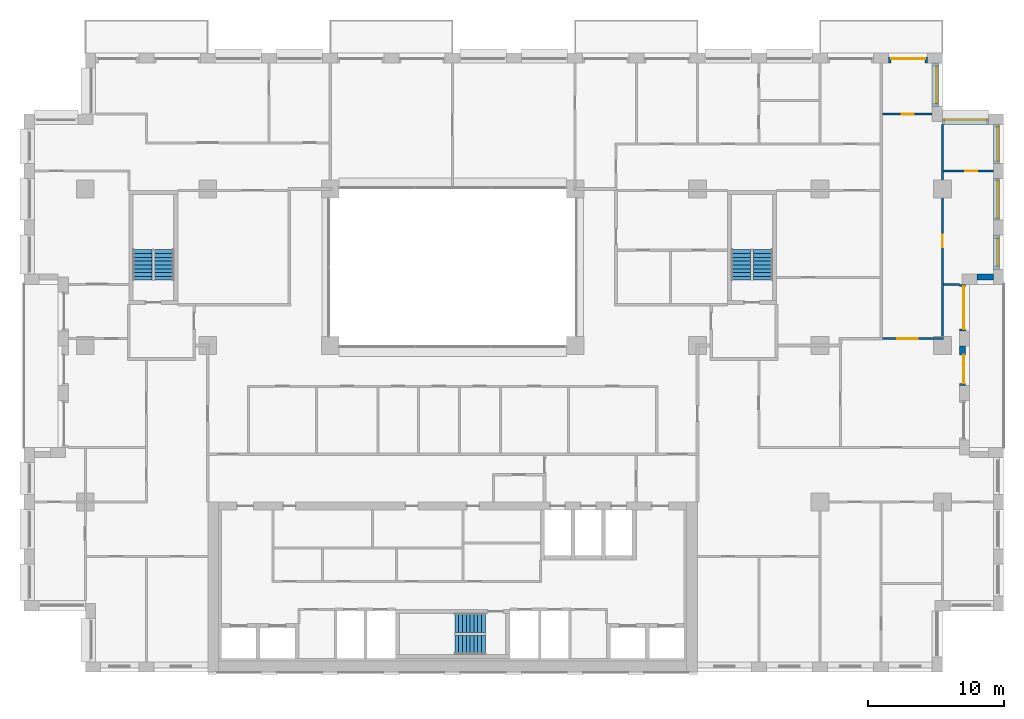
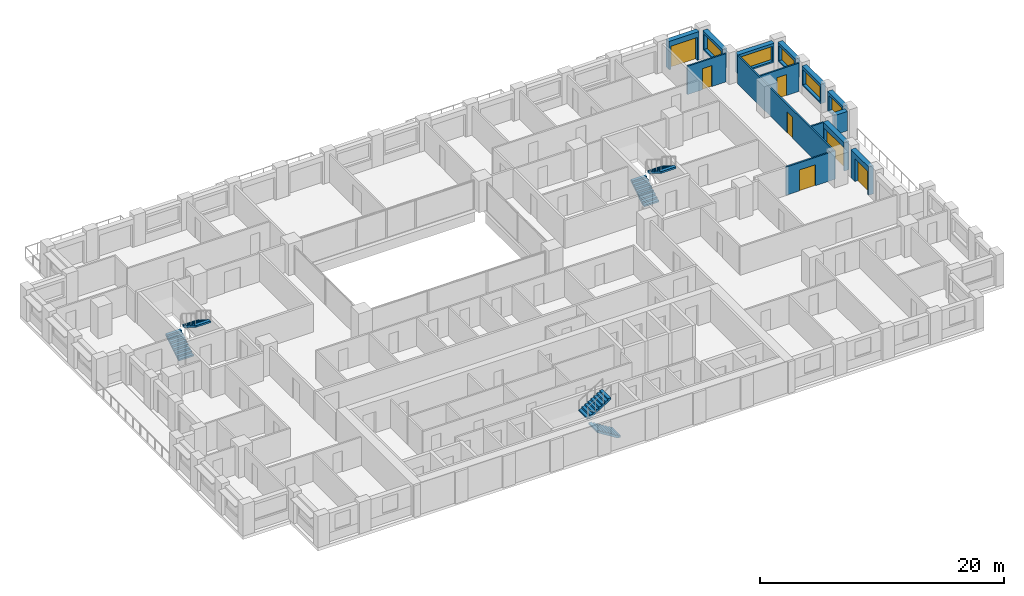
# One storey, part 15 of 16: 14 walls, 7 doors, 6 stair flights, 5 windows, 12 openings, 3 elements without a shape of their own.
"""IFC4 building model written with IfcOpenShell, lengths in metres."""

from ifc_helpers import new_model, si_unit, direction, frame, frame_2d, origin, place, context, subcontext, project, spatial, polyline, rectangle, outline, extrude, material, layer, layer_set, type_object, element, fill, aggregate, save


model = new_model("IFC4")

# Units and contexts
model_context = context("Model", 3, precision=1e-05, world=origin(), true_north=direction((0.0, 1.0)))
body_context = subcontext(model_context, "Body", "Model", "MODEL_VIEW")
ifc_project = project(units=[si_unit("LENGTHUNIT", "METRE"), si_unit("AREAUNIT", "SQUARE_METRE"), si_unit("VOLUMEUNIT", "CUBIC_METRE"), si_unit("PLANEANGLEUNIT", "RADIAN"), si_unit("MASSUNIT", "GRAM", prefix="KILO")], contexts=[model_context])

# Site, building, storey
site_placement = place(None, origin())
site = spatial("IfcSite", under=ifc_project, at=site_placement, CompositionType="ELEMENT")
building_placement = place(site_placement, origin())
building = spatial("IfcBuilding", under=site, at=building_placement, Name="Brigalow Station Residences", CompositionType="ELEMENT")
storey_placement = place(building_placement, frame((0.0, 0.0, 102.449951171875)))
storey = spatial("IfcBuildingStorey", under=building, at=storey_placement, Name="L29", CompositionType="ELEMENT", Elevation=102.449951171875)

# Wall, opening, door
ifc_material_1 = material(Name="Clay brick masonry", Category="masonry")
ifc_layer_1 = layer(ifc_material_1, 0.449951171875)
ifc_layer_set_1 = layer_set([ifc_layer_1], Name="BRICK INFILL WALL 450")
wall_type_1 = type_object("IfcWallType", Name="BRICK INFILL WALL 450", PredefinedType="SOLIDWALL", material=ifc_layer_set_1)
wall_1_placement = place(storey_placement, frame((73.47509765625, 21.050048828125, 0.0), z_axis=(0.0, 0.0, 1.0), x_axis=(0.0, 1.0, 0.0)))
wall_1 = element("IfcWall", 1, at=wall_1_placement, inside=storey, type_object=wall_type_1, Name="L29/ewall/W-L29-15", PredefinedType="SOLIDWALL", context=body_context, shape_type="SweptSolid", body=[
    extrude(rectangle(XDim=2.89990234375, YDim=0.449951171875, at=frame_2d((1.449951171875, 0.0))), origin(), (0.0, 0.0, 1.0), 2.830078125),
])
opening_1_placement = place(wall_1_placement, frame((0.1650390625, 0.0, 0.0)))
opening_1 = element("IfcOpeningElement", 2, at=opening_1_placement, cuts=wall_1, Name="Opening D-B2100", PredefinedType="OPENING", context=body_context, shape_type="SweptSolid", body=[
    extrude(rectangle(XDim=2.10009765625, YDim=2.300048828125, at=frame_2d((1.050048828125, 1.14990234375))), frame((0.0, 0.23486328125, 0.0), z_axis=(0.0, -1.0, 0.0), x_axis=(1.0, 0.0, 0.0)), (0.0, 0.0, 1.0), 0.469970703125),
])
ifc_material_2 = material(Name="Anodised aluminium frame with double glazing", Category="aluminium")
door_type_1 = type_object("IfcDoorType", Name="BALCONY SLIDING DOOR 2100x2300", OperationType="SLIDING_TO_LEFT", PredefinedType="DOOR", material=ifc_material_2)
door_1_placement = place(opening_1_placement, origin())
door_1 = element("IfcDoor", 3, at=door_1_placement, inside=storey, type_object=door_type_1, Name="L29/balcony-door/W-L29-15", OperationType="SLIDING_TO_LEFT", OverallHeight=2.300048828125, OverallWidth=2.10009765625, PredefinedType="DOOR", context=body_context, shape_type="SweptSolid", body=[
    extrude(rectangle(XDim=2.10009765625, YDim=2.300048828125, at=frame_2d((1.050048828125, 1.14990234375))), frame((0.0, -0.06982421875, 0.0), z_axis=(0.0, -1.0, 0.0), x_axis=(1.0, 0.0, 0.0)), (0.0, 0.0, 1.0), 0.050048828125),
])
fill(opening_1, door_1)

wall_2_placement = place(storey_placement, frame((73.47509765625, 25.050048828125, 0.0), z_axis=(0.0, 0.0, 1.0), x_axis=(0.0, 1.0, 0.0)))
wall_2 = element("IfcWall", 4, at=wall_2_placement, inside=storey, type_object=wall_type_1, Name="L29/ewall/W-L29-16", PredefinedType="SOLIDWALL", context=body_context, shape_type="SweptSolid", body=[
    extrude(rectangle(XDim=3.449951171875, YDim=0.449951171875, at=frame_2d((1.72509765625, 0.0))), origin(), (0.0, 0.0, 1.0), 2.830078125),
])
opening_2_placement = place(wall_2_placement, frame((0.14990234375, 0.0, 0.0)))
opening_2 = element("IfcOpeningElement", 5, at=opening_2_placement, cuts=wall_2, Name="Opening D-B3150", PredefinedType="OPENING", context=body_context, shape_type="SweptSolid", body=[
    extrude(rectangle(XDim=3.14990234375, YDim=2.300048828125, at=frame_2d((1.574951171875, 1.14990234375))), frame((0.0, 0.23486328125, 0.0), z_axis=(0.0, -1.0, 0.0), x_axis=(1.0, 0.0, 0.0)), (0.0, 0.0, 1.0), 0.469970703125),
])
ifc_material_3 = material(Name="Anodised aluminium frame with double glazing", Category="aluminium")
door_type_2 = type_object("IfcDoorType", Name="BALCONY SLIDING DOOR 3150x2300", OperationType="SLIDING_TO_LEFT", PredefinedType="DOOR", material=ifc_material_3)
door_2_placement = place(opening_2_placement, origin())
door_2 = element("IfcDoor", 6, at=door_2_placement, inside=storey, type_object=door_type_2, Name="L29/balcony-door/W-L29-16", OperationType="SLIDING_TO_LEFT", OverallHeight=2.300048828125, OverallWidth=3.14990234375, PredefinedType="DOOR", context=body_context, shape_type="SweptSolid", body=[
    extrude(rectangle(XDim=3.14990234375, YDim=2.300048828125, at=frame_2d((1.574951171875, 1.14990234375))), frame((0.0, -0.06982421875, 0.0), z_axis=(0.0, -1.0, 0.0), x_axis=(1.0, 0.0, 0.0)), (0.0, 0.0, 1.0), 0.050048828125),
])
fill(opening_2, door_2)

# Wall
wall_3_placement = place(storey_placement, frame((74.550048828125, 29.02490234375, 0.900146484375), z_axis=(0.0, 0.0, 1.0), x_axis=(1.0, 0.0, 0.0)))
element("IfcWall", 7, at=wall_3_placement, inside=storey, type_object=wall_type_1, Name="L29/ewall/W-L29-17", PredefinedType="SOLIDWALL", context=body_context, shape_type="SweptSolid", body=[
    extrude(rectangle(XDim=1.199951171875, YDim=0.449951171875, at=frame_2d((0.60009765625, 0.0))), origin(), (0.0, 0.0, 1.0), 1.929931640625),
])

# Wall, opening, window
wall_4_placement = place(storey_placement, frame((75.97509765625, 29.60009765625, 0.900146484375), z_axis=(0.0, 0.0, 1.0), x_axis=(0.0, 1.0, 0.0)))
wall_4 = element("IfcWall", 8, at=wall_4_placement, inside=storey, type_object=wall_type_1, Name="L29/ewall/W-L29-18", PredefinedType="SOLIDWALL", context=body_context, shape_type="SweptSolid", body=[
    extrude(rectangle(XDim=2.516845703125, YDim=0.449951171875, at=frame_2d((1.25830078125, 0.0))), origin(), (0.0, 0.0, 1.0), 1.929931640625),
])
opening_3_placement = place(wall_4_placement, frame((0.258544921875, 0.0, 0.14990234375)))
opening_3 = element("IfcOpeningElement", 9, at=opening_3_placement, cuts=wall_4, Name="Opening WT-7", PredefinedType="OPENING", context=body_context, shape_type="SweptSolid", body=[
    extrude(rectangle(XDim=2.0, YDim=1.5, at=frame_2d((1.0, 0.75))), frame((0.0, 0.23486328125, 0.0), z_axis=(0.0, -1.0, 0.0), x_axis=(1.0, 0.0, 0.0)), (0.0, 0.0, 1.0), 0.469970703125),
])
ifc_material_4 = material(Name="Anodised aluminium frame with double glazing", Category="aluminium")
window_type_1 = type_object("IfcWindowType", Name="WINDOW 2000x1500", PartitioningType="SINGLE_PANEL", PredefinedType="WINDOW", material=ifc_material_4)
window_1_placement = place(opening_3_placement, origin())
window_1 = element("IfcWindow", 10, at=window_1_placement, inside=storey, type_object=window_type_1, Name="L29/window/W-L29-18", OverallHeight=1.5, OverallWidth=2.0, PartitioningType="SINGLE_PANEL", PredefinedType="WINDOW", context=body_context, shape_type="SweptSolid", body=[
    extrude(rectangle(XDim=2.0, YDim=1.5, at=frame_2d((1.0, 0.75))), frame((0.0, -0.06494140625, 0.0), z_axis=(0.0, -1.0, 0.0), x_axis=(1.0, 0.0, 0.0)), (0.0, 0.0, 1.0), 0.06005859375),
])
fill(opening_3, window_1)

wall_5_placement = place(storey_placement, frame((75.97509765625, 33.217041015625, 0.900146484375), z_axis=(0.0, 0.0, 1.0), x_axis=(0.0, 1.0, 0.0)))
wall_5 = element("IfcWall", 11, at=wall_5_placement, inside=storey, type_object=wall_type_1, Name="L29/ewall/W-L29-19", PredefinedType="SOLIDWALL", context=body_context, shape_type="SweptSolid", body=[
    extrude(rectangle(XDim=3.06591796875, YDim=0.449951171875, at=frame_2d((1.532958984375, 0.0))), origin(), (0.0, 0.0, 1.0), 1.929931640625),
])
opening_4_placement = place(wall_5_placement, frame((0.157958984375, 0.0, 0.14990234375)))
opening_4 = element("IfcOpeningElement", 12, at=opening_4_placement, cuts=wall_5, Name="Opening WT-3", PredefinedType="OPENING", context=body_context, shape_type="SweptSolid", body=[
    extrude(rectangle(XDim=2.75, YDim=1.5, at=frame_2d((1.375, 0.75))), frame((0.0, 0.23486328125, 0.0), z_axis=(0.0, -1.0, 0.0), x_axis=(1.0, 0.0, 0.0)), (0.0, 0.0, 1.0), 0.469970703125),
])
ifc_material_5 = material(Name="Anodised aluminium frame with double glazing", Category="aluminium")
window_type_2 = type_object("IfcWindowType", Name="WINDOW 2750x1500", PartitioningType="SINGLE_PANEL", PredefinedType="WINDOW", material=ifc_material_5)
window_2_placement = place(opening_4_placement, origin())
window_2 = element("IfcWindow", 13, at=window_2_placement, inside=storey, type_object=window_type_2, Name="L29/window/W-L29-19", OverallHeight=1.5, OverallWidth=2.75, PartitioningType="SINGLE_PANEL", PredefinedType="WINDOW", context=body_context, shape_type="SweptSolid", body=[
    extrude(rectangle(XDim=2.75, YDim=1.5, at=frame_2d((1.375, 0.75))), frame((0.0, -0.06494140625, 0.0), z_axis=(0.0, -1.0, 0.0), x_axis=(1.0, 0.0, 0.0)), (0.0, 0.0, 1.0), 0.06005859375),
])
fill(opening_4, window_2)

wall_6_placement = place(storey_placement, frame((75.97509765625, 37.383056640625, 0.900146484375), z_axis=(0.0, 0.0, 1.0), x_axis=(0.0, 1.0, 0.0)))
wall_6 = element("IfcWall", 14, at=wall_6_placement, inside=storey, type_object=wall_type_1, Name="L29/ewall/W-L29-20", PredefinedType="SOLIDWALL", context=body_context, shape_type="SweptSolid", body=[
    extrude(rectangle(XDim=2.866943359375, YDim=0.449951171875, at=frame_2d((1.43359375, 0.0))), origin(), (0.0, 0.0, 1.0), 1.929931640625),
])
opening_5_placement = place(wall_6_placement, frame((0.18359375, 0.0, 0.14990234375)))
opening_5 = element("IfcOpeningElement", 15, at=opening_5_placement, cuts=wall_6, Name="Opening WT-5", PredefinedType="OPENING", context=body_context, shape_type="SweptSolid", body=[
    extrude(rectangle(XDim=2.5, YDim=1.5, at=frame_2d((1.25, 0.75))), frame((0.0, 0.23486328125, 0.0), z_axis=(0.0, -1.0, 0.0), x_axis=(1.0, 0.0, 0.0)), (0.0, 0.0, 1.0), 0.469970703125),
])
ifc_material_6 = material(Name="Anodised aluminium frame with double glazing", Category="aluminium")
window_type_3 = type_object("IfcWindowType", Name="WINDOW 2500x1500", PartitioningType="SINGLE_PANEL", PredefinedType="WINDOW", material=ifc_material_6)
window_3_placement = place(opening_5_placement, origin())
window_3 = element("IfcWindow", 16, at=window_3_placement, inside=storey, type_object=window_type_3, Name="L29/window/W-L29-20", OverallHeight=1.5, OverallWidth=2.5, PartitioningType="SINGLE_PANEL", PredefinedType="WINDOW", context=body_context, shape_type="SweptSolid", body=[
    extrude(rectangle(XDim=2.5, YDim=1.5, at=frame_2d((1.25, 0.75))), frame((0.0, -0.06494140625, 0.0), z_axis=(0.0, -1.0, 0.0), x_axis=(1.0, 0.0, 0.0)), (0.0, 0.0, 1.0), 0.06005859375),
])
fill(opening_5, window_3)

wall_7_placement = place(storey_placement, frame((75.39990234375, 40.47509765625, 0.900146484375), z_axis=(0.0, 0.0, 1.0), x_axis=(-1.0, 0.0, 0.0)))
wall_7 = element("IfcWall", 17, at=wall_7_placement, inside=storey, type_object=wall_type_1, Name="L29/ewall/W-L29-21", PredefinedType="SOLIDWALL", context=body_context, shape_type="SweptSolid", body=[
    extrude(rectangle(XDim=3.39990234375, YDim=0.449951171875, at=frame_2d((1.699951171875, 0.0))), origin(), (0.0, 0.0, 1.0), 1.929931640625),
])
opening_6_placement = place(wall_7_placement, frame((0.14990234375, 0.0, 0.14990234375)))
opening_6 = element("IfcOpeningElement", 18, at=opening_6_placement, cuts=wall_7, Name="Opening WT-8", PredefinedType="OPENING", context=body_context, shape_type="SweptSolid", body=[
    extrude(rectangle(XDim=3.10009765625, YDim=1.5, at=frame_2d((1.550048828125, 0.75))), frame((0.0, 0.23486328125, 0.0), z_axis=(0.0, -1.0, 0.0), x_axis=(1.0, 0.0, 0.0)), (0.0, 0.0, 1.0), 0.469970703125),
])
ifc_material_7 = material(Name="Anodised aluminium frame with double glazing", Category="aluminium")
window_type_4 = type_object("IfcWindowType", Name="WINDOW 3100x1500", PartitioningType="SINGLE_PANEL", PredefinedType="WINDOW", material=ifc_material_7)
window_4_placement = place(opening_6_placement, origin())
window_4 = element("IfcWindow", 19, at=window_4_placement, inside=storey, type_object=window_type_4, Name="L29/window/W-L29-21", OverallHeight=1.5, OverallWidth=3.10009765625, PartitioningType="SINGLE_PANEL", PredefinedType="WINDOW", context=body_context, shape_type="SweptSolid", body=[
    extrude(rectangle(XDim=3.10009765625, YDim=1.5, at=frame_2d((1.550048828125, 0.75))), frame((0.0, -0.06494140625, 0.0), z_axis=(0.0, -1.0, 0.0), x_axis=(1.0, 0.0, 0.0)), (0.0, 0.0, 1.0), 0.06005859375),
])
fill(opening_6, window_4)

wall_8_placement = place(storey_placement, frame((71.47509765625, 41.550048828125, 0.900146484375), z_axis=(0.0, 0.0, 1.0), x_axis=(0.0, 1.0, 0.0)))
wall_8 = element("IfcWall", 20, at=wall_8_placement, inside=storey, type_object=wall_type_1, Name="L29/ewall/W-L29-22", PredefinedType="SOLIDWALL", context=body_context, shape_type="SweptSolid", body=[
    extrude(rectangle(XDim=3.199951171875, YDim=0.449951171875, at=frame_2d((1.60009765625, 0.0))), origin(), (0.0, 0.0, 1.0), 1.929931640625),
])
opening_7_placement = place(wall_8_placement, frame((0.22509765625, 0.0, 0.14990234375)))
opening_7 = element("IfcOpeningElement", 21, at=opening_7_placement, cuts=wall_8, Name="Opening WT-3", PredefinedType="OPENING", context=body_context, shape_type="SweptSolid", body=[
    extrude(rectangle(XDim=2.75, YDim=1.5, at=frame_2d((1.375, 0.75))), frame((0.0, 0.23486328125, 0.0), z_axis=(0.0, -1.0, 0.0), x_axis=(1.0, 0.0, 0.0)), (0.0, 0.0, 1.0), 0.469970703125),
])
window_5_placement = place(opening_7_placement, origin())
window_5 = element("IfcWindow", 22, at=window_5_placement, inside=storey, type_object=window_type_2, Name="L29/window/W-L29-22", OverallHeight=1.5, OverallWidth=2.75, PartitioningType="SINGLE_PANEL", PredefinedType="WINDOW", context=body_context, shape_type="SweptSolid", body=[
    extrude(rectangle(XDim=2.75, YDim=1.5, at=frame_2d((1.375, 0.75))), frame((0.0, -0.06494140625, 0.0), z_axis=(0.0, -1.0, 0.0), x_axis=(1.0, 0.0, 0.0)), (0.0, 0.0, 1.0), 0.06005859375),
])
fill(opening_7, window_5)

# Wall, opening, door
wall_9_placement = place(storey_placement, frame((70.89990234375, 44.97509765625, 0.0), z_axis=(0.0, 0.0, 1.0), x_axis=(-1.0, 0.0, 0.0)))
wall_9 = element("IfcWall", 23, at=wall_9_placement, inside=storey, type_object=wall_type_1, Name="L29/ewall/W-L29-23", PredefinedType="SOLIDWALL", context=body_context, shape_type="SweptSolid", body=[
    extrude(rectangle(XDim=2.849853515625, YDim=0.449951171875, at=frame_2d((1.4248046875, 0.0))), origin(), (0.0, 0.0, 1.0), 2.830078125),
])
opening_8_placement = place(wall_9_placement, frame((0.175048828125, 0.0, 0.0)))
opening_8 = element("IfcOpeningElement", 24, at=opening_8_placement, cuts=wall_9, Name="Opening D-B2500", PredefinedType="OPENING", context=body_context, shape_type="SweptSolid", body=[
    extrude(rectangle(XDim=2.5, YDim=2.300048828125, at=frame_2d((1.25, 1.14990234375))), frame((0.0, 0.23486328125, 0.0), z_axis=(0.0, -1.0, 0.0), x_axis=(1.0, 0.0, 0.0)), (0.0, 0.0, 1.0), 0.469970703125),
])
ifc_material_8 = material(Name="Anodised aluminium frame with double glazing", Category="aluminium")
door_type_3 = type_object("IfcDoorType", Name="BALCONY SLIDING DOOR 2500x2300", OperationType="SLIDING_TO_LEFT", PredefinedType="DOOR", material=ifc_material_8)
door_3_placement = place(opening_8_placement, origin())
door_3 = element("IfcDoor", 25, at=door_3_placement, inside=storey, type_object=door_type_3, Name="L29/balcony-door/W-L29-23", OperationType="SLIDING_TO_LEFT", OverallHeight=2.300048828125, OverallWidth=2.5, PredefinedType="DOOR", context=body_context, shape_type="SweptSolid", body=[
    extrude(rectangle(XDim=2.5, YDim=2.300048828125, at=frame_2d((1.25, 1.14990234375))), frame((0.0, -0.06982421875, 0.0), z_axis=(0.0, -1.0, 0.0), x_axis=(1.0, 0.0, 0.0)), (0.0, 0.0, 1.0), 0.050048828125),
])
fill(opening_8, door_3)

ifc_material_9 = material(Name="Plasterboard on steel stud partition", Category="steel")
ifc_layer_2 = layer(ifc_material_9, 0.14990234375)
ifc_layer_set_2 = layer_set([ifc_layer_2], Name="FLAT PARTITION 150")
wall_type_2 = type_object("IfcWallType", Name="FLAT PARTITION 150", PredefinedType="PARTITIONING", material=ifc_layer_set_2)
wall_10_placement = place(storey_placement, frame((67.39990234375, 24.5, 0.0), z_axis=(0.0, 0.0, 1.0), x_axis=(1.0, 0.0, 0.0)))
wall_10 = element("IfcWall", 26, at=wall_10_placement, inside=storey, type_object=wall_type_2, Name="PW-2C18", PredefinedType="PARTITIONING", context=body_context, shape_type="SweptSolid", body=[
    extrude(rectangle(XDim=4.675048828125, YDim=0.14990234375, at=frame_2d((2.33740234375, 0.0))), origin(), (0.0, 0.0, 1.0), 2.830078125),
])
opening_9_placement = place(wall_10_placement, frame((1.27490234375, 0.0, 0.0)))
opening_9 = element("IfcOpeningElement", 27, at=opening_9_placement, cuts=wall_10, Name="Opening D-2C41", PredefinedType="OPENING", context=body_context, shape_type="SweptSolid", body=[
    extrude(rectangle(XDim=1.5, YDim=2.10009765625, at=frame_2d((0.75, 1.050048828125))), frame((0.0, 0.0849609375, 0.0), z_axis=(0.0, -1.0, 0.0), x_axis=(1.0, 0.0, 0.0)), (0.0, 0.0, 1.0), 0.169921875),
])
ifc_material_10 = material(Name="Solid-core timber door leaf", Category="wood")
door_type_4 = type_object("IfcDoorType", Name="INTERNAL DOUBLE DOOR 1500 x 2100", OperationType="DOUBLE_DOOR_SINGLE_SWING", PredefinedType="DOOR", material=ifc_material_10)
door_4_placement = place(opening_9_placement, origin())
door_4 = element("IfcDoor", 28, at=door_4_placement, inside=storey, type_object=door_type_4, Name="D-2C41", OperationType="DOUBLE_DOOR_SINGLE_SWING", OverallHeight=2.10009765625, OverallWidth=1.5, PredefinedType="DOOR", context=body_context, shape_type="SweptSolid", body=[
    extrude(rectangle(XDim=1.5, YDim=2.10009765625, at=frame_2d((0.75, 1.050048828125))), frame((0.0, 0.02490234375, 0.0), z_axis=(0.0, -1.0, 0.0), x_axis=(1.0, 0.0, 0.0)), (0.0, 0.0, 1.0), 0.050048828125),
])
fill(opening_9, door_4)

# Wall
wall_11_placement = place(storey_placement, frame((72.074951171875, 28.5, 0.0), z_axis=(0.0, 0.0, 1.0), x_axis=(1.0, 0.0, 0.0)))
element("IfcWall", 29, at=wall_11_placement, inside=storey, type_object=wall_type_2, Name="PW-2C21", PredefinedType="PARTITIONING", context=body_context, shape_type="SweptSolid", body=[
    extrude(rectangle(XDim=1.175048828125, YDim=0.14990234375, at=frame_2d((0.58740234375, 0.0))), origin(), (0.0, 0.0, 1.0), 2.830078125),
])

# Wall, opening, door
wall_12_placement = place(storey_placement, frame((72.074951171875, 36.8330078125, 0.0), z_axis=(0.0, 0.0, 1.0), x_axis=(1.0, 0.0, 0.0)))
wall_12 = element("IfcWall", 30, at=wall_12_placement, inside=storey, type_object=wall_type_2, Name="PW-2C23", PredefinedType="PARTITIONING", context=body_context, shape_type="SweptSolid", body=[
    extrude(rectangle(XDim=3.675048828125, YDim=0.14990234375, at=frame_2d((1.83740234375, 0.0))), origin(), (0.0, 0.0, 1.0), 2.830078125),
])
opening_10_placement = place(wall_12_placement, frame((1.60009765625, 0.0, 0.0)))
opening_10 = element("IfcOpeningElement", 31, at=opening_10_placement, cuts=wall_12, Name="Opening D-2C43", PredefinedType="OPENING", context=body_context, shape_type="SweptSolid", body=[
    extrude(rectangle(XDim=0.89990234375, YDim=2.10009765625, at=frame_2d((0.449951171875, 1.050048828125))), frame((0.0, 0.0849609375, 0.0), z_axis=(0.0, -1.0, 0.0), x_axis=(1.0, 0.0, 0.0)), (0.0, 0.0, 1.0), 0.169921875),
])
ifc_material_11 = material(Name="Solid-core timber door leaf", Category="wood")
door_type_5 = type_object("IfcDoorType", Name="INTERNAL DOOR 900 x 2100", OperationType="SINGLE_SWING_LEFT", PredefinedType="DOOR", material=ifc_material_11)
door_5_placement = place(opening_10_placement, origin())
door_5 = element("IfcDoor", 32, at=door_5_placement, inside=storey, type_object=door_type_5, Name="D-2C43", OperationType="SINGLE_SWING_RIGHT", OverallHeight=2.10009765625, OverallWidth=0.89990234375, PredefinedType="DOOR", context=body_context, shape_type="SweptSolid", body=[
    extrude(rectangle(XDim=0.89990234375, YDim=2.10009765625, at=frame_2d((0.449951171875, 1.050048828125))), frame((0.0, 0.02490234375, 0.0), z_axis=(0.0, -1.0, 0.0), x_axis=(1.0, 0.0, 0.0)), (0.0, 0.0, 1.0), 0.050048828125),
])
fill(opening_10, door_5)

wall_13_placement = place(storey_placement, frame((67.60009765625, 41.0, 0.0), z_axis=(0.0, 0.0, 1.0), x_axis=(1.0, 0.0, 0.0)))
wall_13 = element("IfcWall", 33, at=wall_13_placement, inside=storey, type_object=wall_type_2, Name="PW-2C29", PredefinedType="PARTITIONING", context=body_context, shape_type="SweptSolid", body=[
    extrude(rectangle(XDim=3.64990234375, YDim=0.14990234375, at=frame_2d((1.824951171875, 0.0))), origin(), (0.0, 0.0, 1.0), 2.830078125),
])
opening_11_placement = place(wall_13_placement, frame((1.39990234375, 0.0, 0.0)))
opening_11 = element("IfcOpeningElement", 34, at=opening_11_placement, cuts=wall_13, Name="Opening D-2C44", PredefinedType="OPENING", context=body_context, shape_type="SweptSolid", body=[
    extrude(rectangle(XDim=0.89990234375, YDim=2.10009765625, at=frame_2d((0.449951171875, 1.050048828125))), frame((0.0, 0.0849609375, 0.0), z_axis=(0.0, -1.0, 0.0), x_axis=(1.0, 0.0, 0.0)), (0.0, 0.0, 1.0), 0.169921875),
])
door_6_placement = place(opening_11_placement, origin())
door_6 = element("IfcDoor", 35, at=door_6_placement, inside=storey, type_object=door_type_5, Name="D-2C44", OperationType="SINGLE_SWING_RIGHT", OverallHeight=2.10009765625, OverallWidth=0.89990234375, PredefinedType="DOOR", context=body_context, shape_type="SweptSolid", body=[
    extrude(rectangle(XDim=0.89990234375, YDim=2.10009765625, at=frame_2d((0.449951171875, 1.050048828125))), frame((0.0, 0.02490234375, 0.0), z_axis=(0.0, -1.0, 0.0), x_axis=(1.0, 0.0, 0.0)), (0.0, 0.0, 1.0), 0.050048828125),
])
fill(opening_11, door_6)

wall_14_placement = place(storey_placement, frame((72.0, 24.574951171875, 0.0), z_axis=(0.0, 0.0, 1.0), x_axis=(0.0, 1.0, 0.0)))
wall_14 = element("IfcWall", 36, at=wall_14_placement, inside=storey, type_object=wall_type_2, Name="PW-2C66", PredefinedType="PARTITIONING", context=body_context, shape_type="SweptSolid", body=[
    extrude(rectangle(XDim=15.675048828125, YDim=0.14990234375, at=frame_2d((7.83740234375, 0.0))), origin(), (0.0, 0.0, 1.0), 2.830078125),
])
opening_12_placement = place(wall_14_placement, frame((6.64990234375, 0.0, 0.0)))
opening_12 = element("IfcOpeningElement", 37, at=opening_12_placement, cuts=wall_14, Name="Opening D-2C42", PredefinedType="OPENING", context=body_context, shape_type="SweptSolid", body=[
    extrude(rectangle(XDim=0.89990234375, YDim=2.10009765625, at=frame_2d((0.449951171875, 1.050048828125))), frame((0.0, 0.0849609375, 0.0), z_axis=(0.0, -1.0, 0.0), x_axis=(1.0, 0.0, 0.0)), (0.0, 0.0, 1.0), 0.169921875),
])
door_7_placement = place(opening_12_placement, frame((0.89990234375, 0.0, 0.0), z_axis=(0.0, 0.0, 1.0), x_axis=(-1.0, 0.0, 0.0)))
door_7 = element("IfcDoor", 38, at=door_7_placement, inside=storey, type_object=door_type_5, Name="D-2C42", OperationType="SINGLE_SWING_RIGHT", OverallHeight=2.10009765625, OverallWidth=0.89990234375, PredefinedType="DOOR", context=body_context, shape_type="SweptSolid", body=[
    extrude(rectangle(XDim=0.89990234375, YDim=2.10009765625, at=frame_2d((0.449951171875, 1.050048828125))), frame((0.0, 0.02490234375, 0.0), z_axis=(0.0, -1.0, 0.0), x_axis=(1.0, 0.0, 0.0)), (0.0, 0.0, 1.0), 0.050048828125),
])
fill(opening_12, door_7)

# Stair, stair flights
ifc_material_12 = material(Name="Concrete C50", Category="concrete")
stair_type = type_object("IfcStairType", Name="EXIT STAIR 1400 2 FLIGHT", PredefinedType="HALF_TURN_STAIR", material=ifc_material_12)
stair_1_placement = place(storey_placement, origin())
stair_1 = element("IfcStair", 39, at=stair_1_placement, inside=storey, type_object=stair_type, Name="EXIT STAIR S2 L29", PredefinedType="HALF_TURN_STAIR")
ifc_material_13 = material(Name="Concrete C50", Category="concrete")
stair_flight_type = type_object("IfcStairFlightType", Name="STAIR FLIGHT 1400", PredefinedType="STRAIGHT", material=ifc_material_13)
stair_flight_1_placement = place(storey_placement, frame((38.39990234375, 2.0, 0.0), z_axis=(0.0, 0.0, 1.0), x_axis=(-1.0, 0.0, 0.0)))
stair_flight_1 = element("IfcStairFlight", 40, at=stair_flight_1_placement, type_object=stair_flight_type, Name="ST-2 flight 1", NumberOfRisers=9, NumberOfTreads=8, PredefinedType="STRAIGHT", RiserHeight=0.175, TreadLength=0.28, context=body_context, shape_type="SweptSolid", body=[
    extrude(outline(polyline([(0.0, 0.0), (0.0, 0.175048828125), (0.280029296875, 0.175048828125), (0.280029296875, 0.35009765625), (0.56005859375, 0.35009765625), (0.56005859375, 0.52490234375), (0.840087890625, 0.52490234375), (0.840087890625, 0.699951171875), (1.1201171875, 0.699951171875), (1.1201171875, 0.875), (1.39990234375, 0.875), (1.39990234375, 1.050048828125), (1.679931640625, 1.050048828125), (1.679931640625, 1.22509765625), (1.9599609375, 1.22509765625), (1.9599609375, 1.39990234375), (2.239990234375, 1.39990234375), (2.239990234375, 1.574951171875), (2.239990234375, 1.22314453125), (0.28271484375, 0.0), (0.0, 0.0)])), frame((0.0, 0.699951171875, 0.0), z_axis=(0.0, -1.0, 0.0), x_axis=(1.0, 0.0, 0.0)), (0.0, 0.0, 1.0), 1.39990234375),
])
stair_flight_2_placement = place(storey_placement, frame((36.159912109375, 3.60009765625, 1.574951171875), z_axis=(0.0, 0.0, 1.0), x_axis=(1.0, 0.0, 0.0)))
stair_flight_2 = element("IfcStairFlight", 41, at=stair_flight_2_placement, type_object=stair_flight_type, Name="ST-2 flight 2", NumberOfRisers=9, NumberOfTreads=8, PredefinedType="STRAIGHT", RiserHeight=0.175, TreadLength=0.28, context=body_context, shape_type="SweptSolid", body=[
    extrude(outline(polyline([(0.0, 0.0), (0.0, 0.175048828125), (0.280029296875, 0.175048828125), (0.280029296875, 0.35009765625), (0.56005859375, 0.35009765625), (0.56005859375, 0.52490234375), (0.840087890625, 0.52490234375), (0.840087890625, 0.699951171875), (1.1201171875, 0.699951171875), (1.1201171875, 0.875), (1.39990234375, 0.875), (1.39990234375, 1.050048828125), (1.679931640625, 1.050048828125), (1.679931640625, 1.22509765625), (1.9599609375, 1.22509765625), (1.9599609375, 1.39990234375), (2.239990234375, 1.39990234375), (2.239990234375, 1.574951171875), (2.239990234375, 1.22314453125), (0.28271484375, 0.0), (0.0, 0.0)])), frame((0.0, 0.699951171875, 0.0), z_axis=(0.0, -1.0, 0.0), x_axis=(1.0, 0.0, 0.0)), (0.0, 0.0, 1.0), 1.39990234375),
])
aggregate(stair_1, [stair_flight_1, stair_flight_2])

stair_2_placement = place(storey_placement, origin())
stair_2 = element("IfcStair", 42, at=stair_2_placement, inside=storey, type_object=stair_type, Name="EXIT STAIR S1 L29", PredefinedType="HALF_TURN_STAIR")
stair_flight_3_placement = place(storey_placement, frame((13.199951171875, 28.800048828125, 0.0), z_axis=(0.0, 0.0, 1.0), x_axis=(0.0, 1.0, 0.0)))
stair_flight_3 = element("IfcStairFlight", 43, at=stair_flight_3_placement, type_object=stair_flight_type, Name="ST-1 flight 1", NumberOfRisers=9, NumberOfTreads=8, PredefinedType="STRAIGHT", RiserHeight=0.175, TreadLength=0.28, context=body_context, shape_type="SweptSolid", body=[
    extrude(outline(polyline([(0.0, 0.0), (0.0, 0.175048828125), (0.280029296875, 0.175048828125), (0.280029296875, 0.35009765625), (0.56005859375, 0.35009765625), (0.56005859375, 0.52490234375), (0.840087890625, 0.52490234375), (0.840087890625, 0.699951171875), (1.1201171875, 0.699951171875), (1.1201171875, 0.875), (1.39990234375, 0.875), (1.39990234375, 1.050048828125), (1.679931640625, 1.050048828125), (1.679931640625, 1.22509765625), (1.9599609375, 1.22509765625), (1.9599609375, 1.39990234375), (2.239990234375, 1.39990234375), (2.239990234375, 1.574951171875), (2.239990234375, 1.22314453125), (0.28271484375, 0.0), (0.0, 0.0)])), frame((0.0, 0.699951171875, 0.0), z_axis=(0.0, -1.0, 0.0), x_axis=(1.0, 0.0, 0.0)), (0.0, 0.0, 1.0), 1.39990234375),
])
stair_flight_4_placement = place(storey_placement, frame((14.800048828125, 31.0400390625, 1.574951171875), z_axis=(0.0, 0.0, 1.0), x_axis=(0.0, -1.0, 0.0)))
stair_flight_4 = element("IfcStairFlight", 44, at=stair_flight_4_placement, type_object=stair_flight_type, Name="ST-1 flight 2", NumberOfRisers=9, NumberOfTreads=8, PredefinedType="STRAIGHT", RiserHeight=0.175, TreadLength=0.28, context=body_context, shape_type="SweptSolid", body=[
    extrude(outline(polyline([(0.0, 0.0), (0.0, 0.175048828125), (0.280029296875, 0.175048828125), (0.280029296875, 0.35009765625), (0.56005859375, 0.35009765625), (0.56005859375, 0.52490234375), (0.840087890625, 0.52490234375), (0.840087890625, 0.699951171875), (1.1201171875, 0.699951171875), (1.1201171875, 0.875), (1.39990234375, 0.875), (1.39990234375, 1.050048828125), (1.679931640625, 1.050048828125), (1.679931640625, 1.22509765625), (1.9599609375, 1.22509765625), (1.9599609375, 1.39990234375), (2.239990234375, 1.39990234375), (2.239990234375, 1.574951171875), (2.239990234375, 1.22314453125), (0.28271484375, 0.0), (0.0, 0.0)])), frame((0.0, 0.699951171875, 0.0), z_axis=(0.0, -1.0, 0.0), x_axis=(1.0, 0.0, 0.0)), (0.0, 0.0, 1.0), 1.39990234375),
])
aggregate(stair_2, [stair_flight_3, stair_flight_4])

stair_3_placement = place(storey_placement, origin())
stair_3 = element("IfcStair", 45, at=stair_3_placement, inside=storey, type_object=stair_type, Name="EXIT STAIR S3 L29", PredefinedType="HALF_TURN_STAIR")
stair_flight_5_placement = place(storey_placement, frame((57.199951171875, 28.800048828125, 0.0), z_axis=(0.0, 0.0, 1.0), x_axis=(0.0, 1.0, 0.0)))
stair_flight_5 = element("IfcStairFlight", 46, at=stair_flight_5_placement, type_object=stair_flight_type, Name="ST-3 flight 1", NumberOfRisers=9, NumberOfTreads=8, PredefinedType="STRAIGHT", RiserHeight=0.175, TreadLength=0.28, context=body_context, shape_type="SweptSolid", body=[
    extrude(outline(polyline([(0.0, 0.0), (0.0, 0.175048828125), (0.280029296875, 0.175048828125), (0.280029296875, 0.35009765625), (0.56005859375, 0.35009765625), (0.56005859375, 0.52490234375), (0.840087890625, 0.52490234375), (0.840087890625, 0.699951171875), (1.1201171875, 0.699951171875), (1.1201171875, 0.875), (1.39990234375, 0.875), (1.39990234375, 1.050048828125), (1.679931640625, 1.050048828125), (1.679931640625, 1.22509765625), (1.9599609375, 1.22509765625), (1.9599609375, 1.39990234375), (2.239990234375, 1.39990234375), (2.239990234375, 1.574951171875), (2.239990234375, 1.22314453125), (0.28271484375, 0.0), (0.0, 0.0)])), frame((0.0, 0.699951171875, 0.0), z_axis=(0.0, -1.0, 0.0), x_axis=(1.0, 0.0, 0.0)), (0.0, 0.0, 1.0), 1.39990234375),
])
stair_flight_6_placement = place(storey_placement, frame((58.800048828125, 31.0400390625, 1.574951171875), z_axis=(0.0, 0.0, 1.0), x_axis=(0.0, -1.0, 0.0)))
stair_flight_6 = element("IfcStairFlight", 47, at=stair_flight_6_placement, type_object=stair_flight_type, Name="ST-3 flight 2", NumberOfRisers=9, NumberOfTreads=8, PredefinedType="STRAIGHT", RiserHeight=0.175, TreadLength=0.28, context=body_context, shape_type="SweptSolid", body=[
    extrude(outline(polyline([(0.0, 0.0), (0.0, 0.175048828125), (0.280029296875, 0.175048828125), (0.280029296875, 0.35009765625), (0.56005859375, 0.35009765625), (0.56005859375, 0.52490234375), (0.840087890625, 0.52490234375), (0.840087890625, 0.699951171875), (1.1201171875, 0.699951171875), (1.1201171875, 0.875), (1.39990234375, 0.875), (1.39990234375, 1.050048828125), (1.679931640625, 1.050048828125), (1.679931640625, 1.22509765625), (1.9599609375, 1.22509765625), (1.9599609375, 1.39990234375), (2.239990234375, 1.39990234375), (2.239990234375, 1.574951171875), (2.239990234375, 1.22314453125), (0.28271484375, 0.0), (0.0, 0.0)])), frame((0.0, 0.699951171875, 0.0), z_axis=(0.0, -1.0, 0.0), x_axis=(1.0, 0.0, 0.0)), (0.0, 0.0, 1.0), 1.39990234375),
])
aggregate(stair_3, [stair_flight_5, stair_flight_6])

save(model, "model.ifc")
